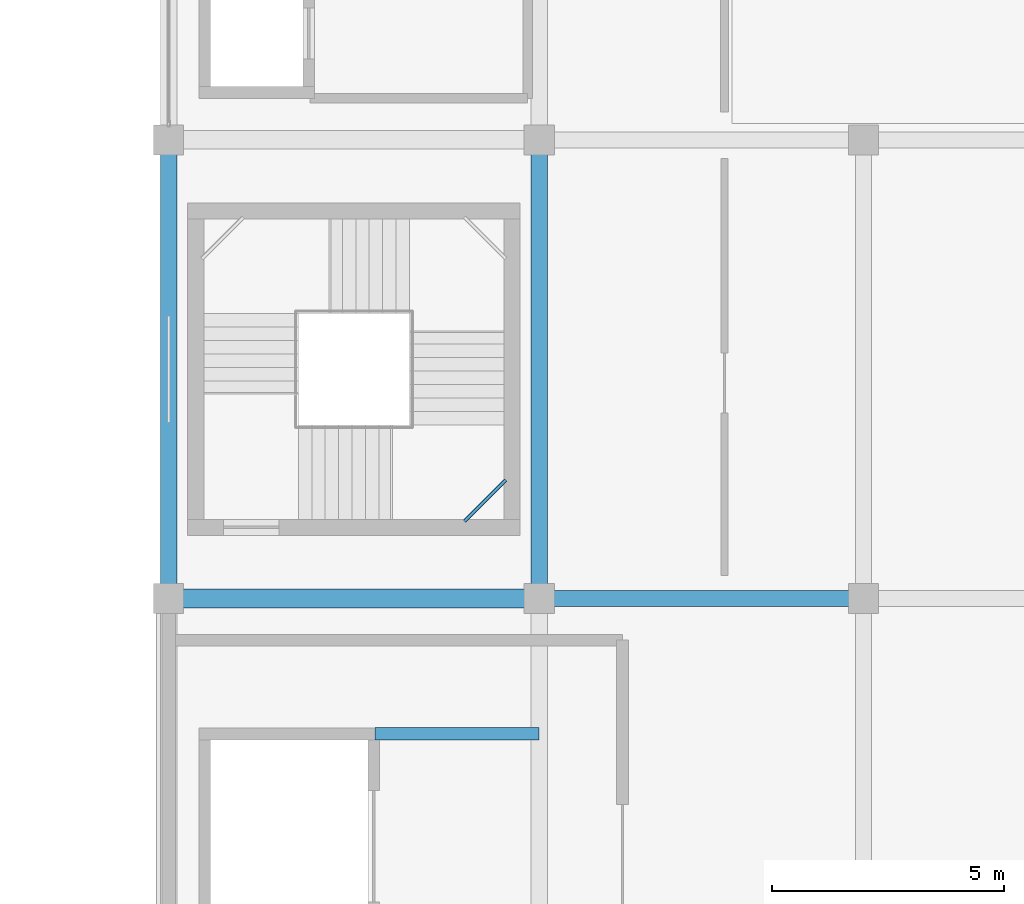
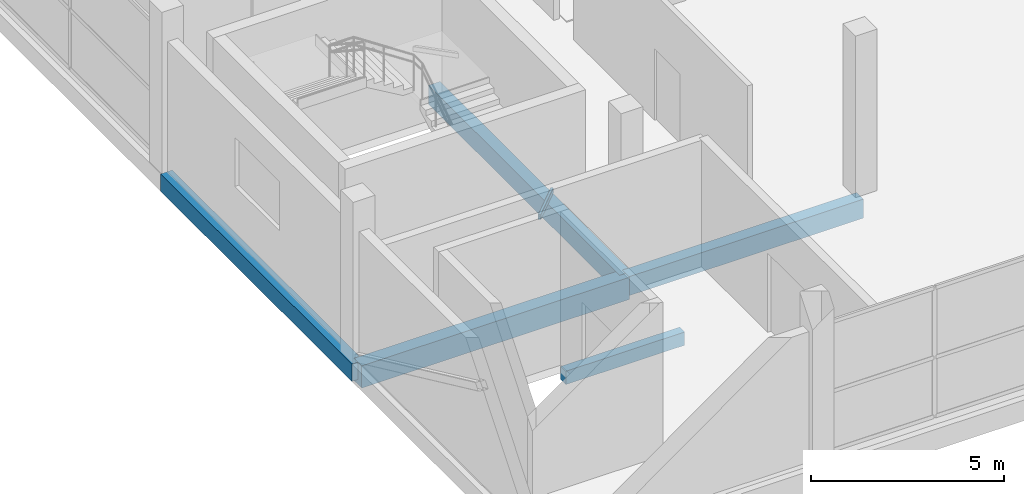
# One storey, part 3 of 66: 6 beams.
"""IFC4 building model written with IfcOpenShell, lengths in metres."""

from ifc_helpers import new_model, si_unit, direction, frame, origin, origin_2d, place, context, subcontext, project, spatial, rectangle, hollow_rectangle, extrude, material, material_profile, profile_set, type_object, element, save


model = new_model("IFC4")

# Units and contexts
model_context = context("Model", 3, precision=1e-05, world=origin(), true_north=direction((0.0, 1.0)))
body_context = subcontext(model_context, "Body", "Model", "MODEL_VIEW")
ifc_project = project(units=[si_unit("LENGTHUNIT", "METRE"), si_unit("AREAUNIT", "SQUARE_METRE"), si_unit("VOLUMEUNIT", "CUBIC_METRE"), si_unit("PLANEANGLEUNIT", "RADIAN"), si_unit("MASSUNIT", "GRAM", prefix="KILO")], contexts=[model_context])

# Site, building, storey
site_placement = place(None, origin())
site = spatial("IfcSite", under=ifc_project, at=site_placement, CompositionType="ELEMENT")
building_placement = place(site_placement, origin())
building = spatial("IfcBuilding", under=site, at=building_placement, Name="Sillaruma Civic Art Gallery", CompositionType="ELEMENT")
storey_placement = place(building_placement, frame((0.0, 0.0, 57.1201171875)))
storey = spatial("IfcBuildingStorey", under=building, at=storey_placement, Name="L11", CompositionType="ELEMENT", Elevation=57.1201171875)

# Beams
ifc_material_1 = material(Name="Concrete H35 (35 MPa)", Category="concrete")
ifc_material_profile_1 = material_profile(ifc_material_1, rectangle(XDim=0.35009765625, YDim=0.60009765625, at=origin_2d()), Name="RCB350x600")
ifc_profile_set_1 = profile_set([ifc_material_profile_1], Name="Concrete H35 (35 MPa)")
beam_type_1 = type_object("IfcBeamType", Name="BM-BEAM-RCB350x600", PredefinedType="BEAM", material=ifc_profile_set_1)
beam_1_placement = place(storey_placement, frame((70.0, 29.699951171875, -0.550048828125), z_axis=(1.0, 0.0, 0.0), x_axis=(0.0, 1.0, 0.0)))
element("IfcBeam", 1, at=beam_1_placement, inside=storey, type_object=beam_type_1, Name="Beam BM-06 (L10:4:G-H)", PredefinedType="BEAM", context=body_context, shape_type="SweptSolid", body=[
    extrude(rectangle(XDim=0.35009765625, YDim=0.60009765625, at=origin_2d()), origin(), (0.0, 0.0, 1.0), 7.0),
])
beam_2_placement = place(storey_placement, frame((70.0, 29.699951171875, -0.550048828125), z_axis=(0.0, 1.0, 0.0), x_axis=(-1.0, 0.0, 0.0)))
element("IfcBeam", 2, at=beam_2_placement, inside=storey, type_object=beam_type_1, Name="Beam BM-06 (L10:G:4-5)", PredefinedType="BEAM", context=body_context, shape_type="SweptSolid", body=[
    extrude(rectangle(XDim=0.35009765625, YDim=0.60009765625, at=origin_2d()), origin(), (0.0, 0.0, 1.0), 9.900146484375),
])
ifc_material_profile_2 = material_profile(ifc_material_1, rectangle(XDim=0.39990234375, YDim=0.699951171875, at=origin_2d()), Name="RCB400x700")
ifc_profile_set_2 = profile_set([ifc_material_profile_2], Name="Concrete H35 (35 MPa)")
beam_type_2 = type_object("IfcBeamType", Name="BM-BEAM-RCB400x700", PredefinedType="BEAM", material=ifc_profile_set_2)
beam_3_placement = place(storey_placement, frame((62.0, 29.699951171875, -0.60009765625), z_axis=(1.0, 0.0, 0.0), x_axis=(0.0, 1.0, 0.0)))
element("IfcBeam", 3, at=beam_3_placement, inside=storey, type_object=beam_type_2, Name="Beam BM-04 (L10:4:F-G)", PredefinedType="BEAM", context=body_context, shape_type="SweptSolid", body=[
    extrude(rectangle(XDim=0.39990234375, YDim=0.699951171875, at=origin_2d()), origin(), (0.0, 0.0, 1.0), 8.0),
])
ifc_material_profile_3 = material_profile(ifc_material_1, rectangle(XDim=0.260009765625, YDim=0.419921875, at=origin_2d()), Name="RCB260x420")
ifc_profile_set_3 = profile_set([ifc_material_profile_3], Name="Concrete H35 (35 MPa)")
beam_type_3 = type_object("IfcBeamType", Name="BM-LINTEL-RCB260x420", PredefinedType="LINTEL", material=ifc_profile_set_3)
beam_4_placement = place(storey_placement, frame((66.449951171875, 26.780029296875, -0.460205078125), z_axis=(1.0, 0.0, 0.0), x_axis=(0.0, 1.0, 0.0)))
element("IfcBeam", 4, at=beam_4_placement, inside=storey, type_object=beam_type_3, Name="Core Portal Coupling Lintel BL-02 (L10:GL1)", PredefinedType="LINTEL", context=body_context, shape_type="SweptSolid", body=[
    extrude(rectangle(XDim=0.260009765625, YDim=0.419921875, at=origin_2d()), origin(), (0.0, 0.0, 1.0), 3.550048828125),
])
ifc_material_2 = material(Name="Structural Steel ASTM A500 Gr.C", Category="steel")
ifc_material_profile_4 = material_profile(ifc_material_2, hollow_rectangle(XDim=0.080078125, YDim=0.159912109375, WallThickness=0.008056640625, InnerFilletRadius=0.008056640625, OuterFilletRadius=0.01611328125, at=origin_2d()), Name="HSS160x80x8")
ifc_profile_set_4 = profile_set([ifc_material_profile_4], Name="Structural Steel ASTM A500 Gr.C")
beam_type_4 = type_object("IfcBeamType", Name="BM-LND-HSS160", PredefinedType="BEAM", material=ifc_profile_set_4)
beam_5_placement = place(storey_placement, frame((68.389892578125, 31.3701171875, 1.079833984375), z_axis=(0.707203758046, 0.707009791025, 0.0), x_axis=(-0.707009791025, 0.707203758046, 0.0)))
element("IfcBeam", 5, at=beam_5_placement, inside=storey, type_object=beam_type_4, Name="Stair Corner Landing Trimmer Beam (ST-03-L11-1)", PredefinedType="BEAM", context=body_context, shape_type="SweptSolid", body=[
    extrude(hollow_rectangle(XDim=0.080078125, YDim=0.159912109375, WallThickness=0.008056640625, InnerFilletRadius=0.008056640625, OuterFilletRadius=0.01611328125, at=origin_2d()), origin(), (0.0, 0.0, 1.0), 1.2587890625),
])
ifc_material_profile_5 = material_profile(ifc_material_1, rectangle(XDim=0.35009765625, YDim=0.550048828125, at=origin_2d()), Name="RCB350x550")
ifc_profile_set_5 = profile_set([ifc_material_profile_5], Name="Concrete H35 (35 MPa)")
beam_type_5 = type_object("IfcBeamType", Name="BM-SPANDREL-RCB350x550", PredefinedType="SPANDREL", material=ifc_profile_set_5)
beam_6_placement = place(storey_placement, frame((62.0, 29.699951171875, -0.525146484375), z_axis=(0.0, 1.0, 0.0), x_axis=(-1.0, 0.0, 0.0)))
element("IfcBeam", 6, at=beam_6_placement, inside=storey, type_object=beam_type_5, Name="Beam BS-04 (L10:F:4-5)", PredefinedType="SPANDREL", context=body_context, shape_type="SweptSolid", body=[
    extrude(rectangle(XDim=0.35009765625, YDim=0.550048828125, at=origin_2d()), origin(), (0.0, 0.0, 1.0), 9.900146484375),
])

save(model, "model.ifc")
